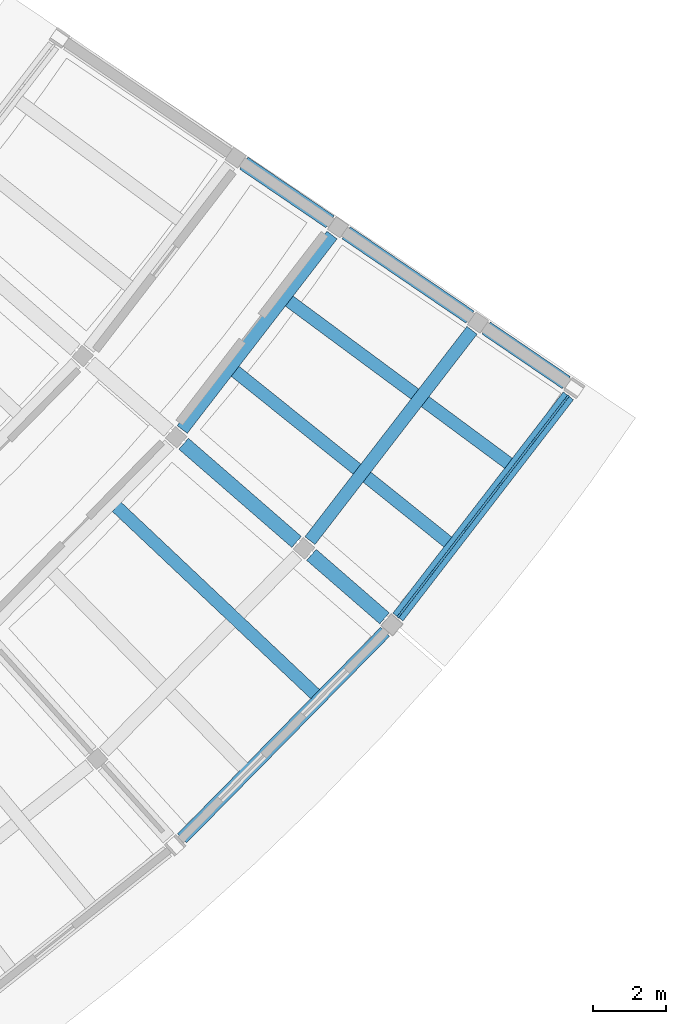
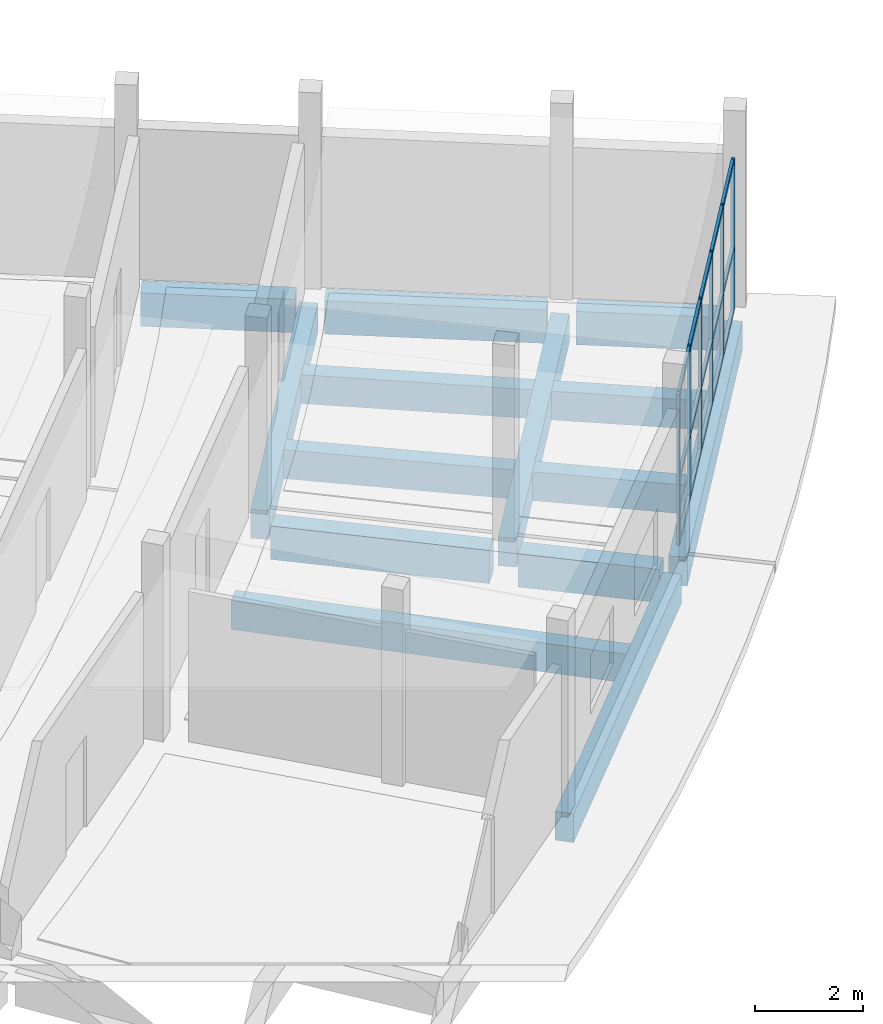
# One storey, part 44 of 92: 21 members, 12 beams, 1 element without a shape of its own.
"""IFC4 building model written with IfcOpenShell, lengths in metres."""

from ifc_helpers import new_model, si_unit, direction, frame, origin, origin_2d, place, context, subcontext, project, spatial, rectangle, extrude, material, layer, layer_set, material_profile, profile_set, type_object, element, aggregate, save


model = new_model("IFC4")

# Units and contexts
model_context = context("Model", 3, precision=1e-05, world=origin(), true_north=direction((0.0, 1.0)))
body_context = subcontext(model_context, "Body", "Model", "MODEL_VIEW")
ifc_project = project(units=[si_unit("LENGTHUNIT", "METRE"), si_unit("AREAUNIT", "SQUARE_METRE"), si_unit("VOLUMEUNIT", "CUBIC_METRE"), si_unit("PLANEANGLEUNIT", "RADIAN"), si_unit("MASSUNIT", "GRAM", prefix="KILO")], contexts=[model_context])

# Site, building, storey
site_placement = place(None, origin())
site = spatial("IfcSite", under=ifc_project, at=site_placement, CompositionType="ELEMENT")
building_placement = place(site_placement, origin())
building = spatial("IfcBuilding", under=site, at=building_placement, Name="Caldaven Crescent School", CompositionType="ELEMENT")
storey_placement = place(building_placement, origin())
storey = spatial("IfcBuildingStorey", under=building, at=storey_placement, Name="L00", CompositionType="ELEMENT", Elevation=0.0)

# Beams
ifc_material_1 = material(Name="Concrete C30/37", Category="concrete")
ifc_material_profile_1 = material_profile(ifc_material_1, rectangle(XDim=0.35009765625, YDim=0.64990234375, at=origin_2d()), Name="RC 350x650")
ifc_profile_set_1 = profile_set([ifc_material_profile_1], Name="Concrete C30/37")
beam_type_1 = type_object("IfcBeamType", Name="BM-RC35", PredefinedType="BEAM", material=ifc_profile_set_1)
beam_1_placement = place(storey_placement, frame((132.92919921875, 53.613525390625, -0.5849609375), z_axis=(0.727372490109, -0.686242858348, 0.0), x_axis=(0.686242858348, 0.727372490109, 0.0)))
element("IfcBeam", 1, at=beam_1_placement, inside=storey, type_object=beam_type_1, Name="JSR-V4E-L00-0921", PredefinedType="BEAM", context=body_context, shape_type="SweptSolid", body=[
    extrude(rectangle(XDim=0.35009765625, YDim=0.64990234375, at=origin_2d()), origin(), (0.0, 0.0, 1.0), 7.4970703125),
])
beam_2_placement = place(storey_placement, frame((134.73046875, 55.735107421875, -0.5849609375), z_axis=(0.61039141792, 0.792099941251, 0.0), x_axis=(-0.792099941251, 0.61039141792, 0.0)))
element("IfcBeam", 2, at=beam_2_placement, inside=storey, type_object=beam_type_1, Name="BMT-V4E-L00-0924", PredefinedType="BEAM", context=body_context, shape_type="SweptSolid", body=[
    extrude(rectangle(XDim=0.35009765625, YDim=0.64990234375, at=origin_2d()), origin(), (0.0, 0.0, 1.0), 6.74072265625),
])
beam_3_placement = place(storey_placement, frame((138.23974609375, 52.684326171875, -0.5849609375), z_axis=(0.610382239091, 0.792107014362, 0.0), x_axis=(-0.792107014362, 0.610382239091, 0.0)))
element("IfcBeam", 3, at=beam_3_placement, inside=storey, type_object=beam_type_1, Name="BMT-V4E-L00-0925", PredefinedType="BEAM", context=body_context, shape_type="SweptSolid", body=[
    extrude(rectangle(XDim=0.35009765625, YDim=0.64990234375, at=origin_2d()), origin(), (0.0, 0.0, 1.0), 7.28955078125),
])
for number, where, z_axis, x_axis, name in (
    (4, (136.1796875, 57.337158203125, -0.5849609375), (0.779924415741, -0.625873713884, 0.0), (0.625873713884, 0.779924415741, 0.0), "JSR-V4E-L00-0928"),
    (5, (137.6650390625, 59.264892578125, -0.5849609375), (0.80397172981, -0.59466751859, 0.0), (0.59466751859, 0.80397172981, 0.0), "JSR-V4E-L00-0930"),
):
    element("IfcBeam", number, at=place(storey_placement, frame(where, z_axis=z_axis, x_axis=x_axis)), inside=storey, type_object=beam_type_1, Name=name, PredefinedType="BEAM", context=body_context, shape_type="SweptSolid", body=[
        extrude(rectangle(XDim=0.35009765625, YDim=0.64990234375, at=origin_2d()), origin(), (0.0, 0.0, 1.0), 7.497802734375),
    ])
ifc_material_2 = material(Name="Concrete C35/45", Category="concrete")
ifc_material_profile_2 = material_profile(ifc_material_2, rectangle(XDim=0.39990234375, YDim=0.75, at=origin_2d()), Name="RC 400x750")
ifc_profile_set_2 = profile_set([ifc_material_profile_2], Name="Concrete C35/45")
beam_type_2 = type_object("IfcBeamType", Name="BM-RC40", PredefinedType="BEAM", material=ifc_profile_set_2)
beam_4_placement = place(storey_placement, frame((134.769287109375, 55.343994140625, -0.635009765625), z_axis=(0.754718051094, -0.656049284241, 0.0), x_axis=(0.656049284241, 0.754718051094, 0.0)))
element("IfcBeam", 6, at=beam_4_placement, inside=storey, type_object=beam_type_2, Name="BMR-V4E-L00-0882", PredefinedType="BEAM", context=body_context, shape_type="SweptSolid", body=[
    extrude(rectangle(XDim=0.39990234375, YDim=0.75, at=origin_2d()), origin(), (0.0, 0.0, 1.0), 4.10986328125),
])
beam_5_placement = place(storey_placement, frame((138.27880859375, 52.29345703125, -0.635009765625), z_axis=(0.754716162518, -0.65605145685, 0.0), x_axis=(0.65605145685, 0.754716162518, 0.0)))
element("IfcBeam", 7, at=beam_5_placement, inside=storey, type_object=beam_type_2, Name="BMR-V4E-L00-0883", PredefinedType="BEAM", context=body_context, shape_type="SweptSolid", body=[
    extrude(rectangle(XDim=0.39990234375, YDim=0.75, at=origin_2d()), origin(), (0.0, 0.0, 1.0), 2.659912109375),
])
beam_6_placement = place(storey_placement, frame((136.422119140625, 63.04931640625, -0.635009765625), z_axis=(0.826759751859, -0.562555164145, 0.0), x_axis=(0.562555164145, 0.826759751859, 0.0)))
element("IfcBeam", 8, at=beam_6_placement, inside=storey, type_object=beam_type_2, Name="BMR-V4E-L00-0885", PredefinedType="BEAM", context=body_context, shape_type="SweptSolid", body=[
    extrude(rectangle(XDim=0.39990234375, YDim=0.75, at=origin_2d()), origin(), (0.0, 0.0, 1.0), 2.85986328125),
])
beam_7_placement = place(storey_placement, frame((139.23291015625, 61.136474609375, -0.635009765625), z_axis=(0.826739740535, -0.562584572683, 0.0), x_axis=(0.562584572683, 0.826739740535, 0.0)))
element("IfcBeam", 9, at=beam_7_placement, inside=storey, type_object=beam_type_2, Name="BMR-V4E-L00-0886", PredefinedType="BEAM", context=body_context, shape_type="SweptSolid", body=[
    extrude(rectangle(XDim=0.39990234375, YDim=0.75, at=origin_2d()), origin(), (0.0, 0.0, 1.0), 4.110107421875),
])
beam_8_placement = place(storey_placement, frame((143.077392578125, 58.5205078125, -0.635009765625), z_axis=(0.82674549188, -0.562576120765, 0.0), x_axis=(0.562576120765, 0.82674549188, 0.0)))
element("IfcBeam", 10, at=beam_8_placement, inside=storey, type_object=beam_type_2, Name="BMR-V4E-L00-0887", PredefinedType="BEAM", context=body_context, shape_type="SweptSolid", body=[
    extrude(rectangle(XDim=0.39990234375, YDim=0.75, at=origin_2d()), origin(), (0.0, 0.0, 1.0), 2.659912109375),
])

# Curtain wall, members
ifc_material_3 = material(Name="Anodised aluminium AA 6063-T6 and low-E double glazing", Category="aluminium")
ifc_layer = layer(ifc_material_3, 0.2099609375)
ifc_layer_set = layer_set([ifc_layer], Name="Anodised aluminium AA 6063-T6 and low-E double glazing")
curtain_wall_type = type_object("IfcCurtainWallType", Name="CW-SYS3", PredefinedType="NOTDEFINED", material=ifc_layer_set)
curtain_wall_placement = place(storey_placement, origin())
curtain_wall = element("IfcCurtainWall", 11, at=curtain_wall_placement, inside=storey, type_object=curtain_wall_type, Name="CW-L00-116", PredefinedType="NOTDEFINED")
ifc_material_4 = material(Name="Anodised aluminium AA 6063-T6", Category="aluminium")
ifc_material_profile_3 = material_profile(ifc_material_4, rectangle(XDim=0.06005859375, YDim=0.14990234375, at=origin_2d()), Name="CWM 60x150")
ifc_profile_set_3 = profile_set([ifc_material_profile_3], Name="Anodised aluminium AA 6063-T6")
member_type_1 = type_object("IfcMemberType", Name="CWM-T1", PredefinedType="MULLION", material=ifc_profile_set_3)
member_1_placement = place(storey_placement, frame((140.69140625, 50.632568359375, 0.0), z_axis=(0.0, 0.0, 1.0), x_axis=(-0.792104244757, 0.610385833254, 0.0)))
member_1 = element("IfcMember", 12, at=member_1_placement, type_object=member_type_1, Name="CW3 mullion 1", PredefinedType="MULLION", context=body_context, shape_type="SweptSolid", body=[
    extrude(rectangle(XDim=0.06005859375, YDim=0.14990234375, at=origin_2d()), origin(), (0.0, 0.0, 1.0), 3.39990234375),
])
member_2_placement = place(storey_placement, frame((141.601806640625, 51.81396484375, 0.0), z_axis=(0.0, 0.0, 1.0), x_axis=(-0.792104244757, 0.610385833254, 0.0)))
member_2 = element("IfcMember", 13, at=member_2_placement, type_object=member_type_1, Name="CW3 mullion 2", PredefinedType="MULLION", context=body_context, shape_type="SweptSolid", body=[
    extrude(rectangle(XDim=0.06005859375, YDim=0.14990234375, at=origin_2d()), origin(), (0.0, 0.0, 1.0), 3.39990234375),
])
member_3_placement = place(storey_placement, frame((142.530517578125, 53.01904296875, 0.0), z_axis=(0.0, 0.0, 1.0), x_axis=(-0.792104244757, 0.610385833254, 0.0)))
member_3 = element("IfcMember", 14, at=member_3_placement, type_object=member_type_1, Name="CW3 mullion 3", PredefinedType="MULLION", context=body_context, shape_type="SweptSolid", body=[
    extrude(rectangle(XDim=0.06005859375, YDim=0.14990234375, at=origin_2d()), origin(), (0.0, 0.0, 1.0), 3.39990234375),
])
member_4_placement = place(storey_placement, frame((143.459228515625, 54.22412109375, 0.0), z_axis=(0.0, 0.0, 1.0), x_axis=(-0.792104244757, 0.610385833254, 0.0)))
member_4 = element("IfcMember", 15, at=member_4_placement, type_object=member_type_1, Name="CW3 mullion 4", PredefinedType="MULLION", context=body_context, shape_type="SweptSolid", body=[
    extrude(rectangle(XDim=0.06005859375, YDim=0.14990234375, at=origin_2d()), origin(), (0.0, 0.0, 1.0), 3.39990234375),
])
member_5_placement = place(storey_placement, frame((144.387939453125, 55.429443359375, 0.0), z_axis=(0.0, 0.0, 1.0), x_axis=(-0.792104244757, 0.610385833254, 0.0)))
member_5 = element("IfcMember", 16, at=member_5_placement, type_object=member_type_1, Name="CW3 mullion 5", PredefinedType="MULLION", context=body_context, shape_type="SweptSolid", body=[
    extrude(rectangle(XDim=0.06005859375, YDim=0.14990234375, at=origin_2d()), origin(), (0.0, 0.0, 1.0), 3.39990234375),
])
member_6_placement = place(storey_placement, frame((145.29833984375, 56.61083984375, 0.0), z_axis=(0.0, 0.0, 1.0), x_axis=(-0.792104244757, 0.610385833254, 0.0)))
member_6 = element("IfcMember", 17, at=member_6_placement, type_object=member_type_1, Name="CW3 mullion 6", PredefinedType="MULLION", context=body_context, shape_type="SweptSolid", body=[
    extrude(rectangle(XDim=0.06005859375, YDim=0.14990234375, at=origin_2d()), origin(), (0.0, 0.0, 1.0), 3.39990234375),
])
ifc_material_profile_4 = material_profile(ifc_material_4, rectangle(XDim=0.06005859375, YDim=0.1201171875, at=origin_2d()), Name="CWT 60x120")
ifc_profile_set_4 = profile_set([ifc_material_profile_4], Name="Anodised aluminium AA 6063-T6")
member_type_2 = type_object("IfcMemberType", Name="CWT-T1", PredefinedType="USERDEFINED", material=ifc_profile_set_4)
member_7_placement = place(storey_placement, frame((140.709716796875, 50.65625, 0.030029296875), z_axis=(0.6104276164, 0.792072045421, 0.0), x_axis=(-0.792072045421, 0.6104276164, 0.0)))
member_7 = element("IfcMember", 18, at=member_7_placement, type_object=member_type_2, Name="CW3 transom 1.1", ObjectType="TRANSOM", PredefinedType="USERDEFINED", context=body_context, shape_type="SweptSolid", body=[
    extrude(rectangle(XDim=0.06005859375, YDim=0.1201171875, at=origin_2d()), origin(), (0.0, 0.0, 1.0), 1.431396484375),
])
member_8_placement = place(storey_placement, frame((140.709716796875, 50.65625, 1.427978515625), z_axis=(0.6104276164, 0.792072045421, 0.0), x_axis=(-0.792072045421, 0.6104276164, 0.0)))
member_8 = element("IfcMember", 19, at=member_8_placement, type_object=member_type_2, Name="CW3 transom 1.2", ObjectType="TRANSOM", PredefinedType="USERDEFINED", context=body_context, shape_type="SweptSolid", body=[
    extrude(rectangle(XDim=0.06005859375, YDim=0.1201171875, at=origin_2d()), origin(), (0.0, 0.0, 1.0), 1.431396484375),
])
member_9_placement = place(storey_placement, frame((140.709716796875, 50.65625, 3.3701171875), z_axis=(0.6104276164, 0.792072045421, 0.0), x_axis=(-0.792072045421, 0.6104276164, 0.0)))
member_9 = element("IfcMember", 20, at=member_9_placement, type_object=member_type_2, Name="CW3 transom 1.3", ObjectType="TRANSOM", PredefinedType="USERDEFINED", context=body_context, shape_type="SweptSolid", body=[
    extrude(rectangle(XDim=0.06005859375, YDim=0.1201171875, at=origin_2d()), origin(), (0.0, 0.0, 1.0), 1.431396484375),
])
member_10_placement = place(storey_placement, frame((141.6201171875, 51.837646484375, 0.030029296875), z_axis=(0.610372507609, 0.792114513158, 0.0), x_axis=(-0.792114513158, 0.610372507609, 0.0)))
member_10 = element("IfcMember", 21, at=member_10_placement, type_object=member_type_2, Name="CW3 transom 2.1", ObjectType="TRANSOM", PredefinedType="USERDEFINED", context=body_context, shape_type="SweptSolid", body=[
    extrude(rectangle(XDim=0.06005859375, YDim=0.1201171875, at=origin_2d()), origin(), (0.0, 0.0, 1.0), 1.461669921875),
])
member_11_placement = place(storey_placement, frame((141.6201171875, 51.837646484375, 1.427978515625), z_axis=(0.610372507609, 0.792114513158, 0.0), x_axis=(-0.792114513158, 0.610372507609, 0.0)))
member_11 = element("IfcMember", 22, at=member_11_placement, type_object=member_type_2, Name="CW3 transom 2.2", ObjectType="TRANSOM", PredefinedType="USERDEFINED", context=body_context, shape_type="SweptSolid", body=[
    extrude(rectangle(XDim=0.06005859375, YDim=0.1201171875, at=origin_2d()), origin(), (0.0, 0.0, 1.0), 1.461669921875),
])
member_12_placement = place(storey_placement, frame((141.6201171875, 51.837646484375, 3.3701171875), z_axis=(0.610372507609, 0.792114513158, 0.0), x_axis=(-0.792114513158, 0.610372507609, 0.0)))
member_12 = element("IfcMember", 23, at=member_12_placement, type_object=member_type_2, Name="CW3 transom 2.3", ObjectType="TRANSOM", PredefinedType="USERDEFINED", context=body_context, shape_type="SweptSolid", body=[
    extrude(rectangle(XDim=0.06005859375, YDim=0.1201171875, at=origin_2d()), origin(), (0.0, 0.0, 1.0), 1.461669921875),
])
member_13_placement = place(storey_placement, frame((142.548828125, 53.042724609375, 0.030029296875), z_axis=(0.610372507609, 0.792114513158, 0.0), x_axis=(-0.792114513158, 0.610372507609, 0.0)))
member_13 = element("IfcMember", 24, at=member_13_placement, type_object=member_type_2, Name="CW3 transom 3.1", ObjectType="TRANSOM", PredefinedType="USERDEFINED", context=body_context, shape_type="SweptSolid", body=[
    extrude(rectangle(XDim=0.06005859375, YDim=0.1201171875, at=origin_2d()), origin(), (0.0, 0.0, 1.0), 1.461669921875),
])
member_14_placement = place(storey_placement, frame((142.548828125, 53.042724609375, 1.427978515625), z_axis=(0.610372507609, 0.792114513158, 0.0), x_axis=(-0.792114513158, 0.610372507609, 0.0)))
member_14 = element("IfcMember", 25, at=member_14_placement, type_object=member_type_2, Name="CW3 transom 3.2", ObjectType="TRANSOM", PredefinedType="USERDEFINED", context=body_context, shape_type="SweptSolid", body=[
    extrude(rectangle(XDim=0.06005859375, YDim=0.1201171875, at=origin_2d()), origin(), (0.0, 0.0, 1.0), 1.461669921875),
])
member_15_placement = place(storey_placement, frame((142.548828125, 53.042724609375, 3.3701171875), z_axis=(0.610372507609, 0.792114513158, 0.0), x_axis=(-0.792114513158, 0.610372507609, 0.0)))
member_15 = element("IfcMember", 26, at=member_15_placement, type_object=member_type_2, Name="CW3 transom 3.3", ObjectType="TRANSOM", PredefinedType="USERDEFINED", context=body_context, shape_type="SweptSolid", body=[
    extrude(rectangle(XDim=0.06005859375, YDim=0.1201171875, at=origin_2d()), origin(), (0.0, 0.0, 1.0), 1.461669921875),
])
member_16_placement = place(storey_placement, frame((143.4775390625, 54.248046875, 0.030029296875), z_axis=(0.610453277548, 0.792052268434, 0.0), x_axis=(-0.792052268434, 0.610453277548, 0.0)))
member_16 = element("IfcMember", 27, at=member_16_placement, type_object=member_type_2, Name="CW3 transom 4.1", ObjectType="TRANSOM", PredefinedType="USERDEFINED", context=body_context, shape_type="SweptSolid", body=[
    extrude(rectangle(XDim=0.06005859375, YDim=0.1201171875, at=origin_2d()), origin(), (0.0, 0.0, 1.0), 1.46142578125),
])
member_17_placement = place(storey_placement, frame((143.4775390625, 54.248046875, 1.427978515625), z_axis=(0.610453277548, 0.792052268434, 0.0), x_axis=(-0.792052268434, 0.610453277548, 0.0)))
member_17 = element("IfcMember", 28, at=member_17_placement, type_object=member_type_2, Name="CW3 transom 4.2", ObjectType="TRANSOM", PredefinedType="USERDEFINED", context=body_context, shape_type="SweptSolid", body=[
    extrude(rectangle(XDim=0.06005859375, YDim=0.1201171875, at=origin_2d()), origin(), (0.0, 0.0, 1.0), 1.46142578125),
])
member_18_placement = place(storey_placement, frame((143.4775390625, 54.248046875, 3.3701171875), z_axis=(0.610453277548, 0.792052268434, 0.0), x_axis=(-0.792052268434, 0.610453277548, 0.0)))
member_18 = element("IfcMember", 29, at=member_18_placement, type_object=member_type_2, Name="CW3 transom 4.3", ObjectType="TRANSOM", PredefinedType="USERDEFINED", context=body_context, shape_type="SweptSolid", body=[
    extrude(rectangle(XDim=0.06005859375, YDim=0.1201171875, at=origin_2d()), origin(), (0.0, 0.0, 1.0), 1.46142578125),
])
member_19_placement = place(storey_placement, frame((144.40625, 55.453125, 0.030029296875), z_axis=(0.6104276164, 0.792072045421, 0.0), x_axis=(-0.792072045421, 0.6104276164, 0.0)))
member_19 = element("IfcMember", 30, at=member_19_placement, type_object=member_type_2, Name="CW3 transom 5.1", ObjectType="TRANSOM", PredefinedType="USERDEFINED", context=body_context, shape_type="SweptSolid", body=[
    extrude(rectangle(XDim=0.06005859375, YDim=0.1201171875, at=origin_2d()), origin(), (0.0, 0.0, 1.0), 1.431396484375),
])
member_20_placement = place(storey_placement, frame((144.40625, 55.453125, 1.427978515625), z_axis=(0.6104276164, 0.792072045421, 0.0), x_axis=(-0.792072045421, 0.6104276164, 0.0)))
member_20 = element("IfcMember", 31, at=member_20_placement, type_object=member_type_2, Name="CW3 transom 5.2", ObjectType="TRANSOM", PredefinedType="USERDEFINED", context=body_context, shape_type="SweptSolid", body=[
    extrude(rectangle(XDim=0.06005859375, YDim=0.1201171875, at=origin_2d()), origin(), (0.0, 0.0, 1.0), 1.431396484375),
])
member_21_placement = place(storey_placement, frame((144.40625, 55.453125, 3.3701171875), z_axis=(0.6104276164, 0.792072045421, 0.0), x_axis=(-0.792072045421, 0.6104276164, 0.0)))
member_21 = element("IfcMember", 32, at=member_21_placement, type_object=member_type_2, Name="CW3 transom 5.3", ObjectType="TRANSOM", PredefinedType="USERDEFINED", context=body_context, shape_type="SweptSolid", body=[
    extrude(rectangle(XDim=0.06005859375, YDim=0.1201171875, at=origin_2d()), origin(), (0.0, 0.0, 1.0), 1.431396484375),
])
aggregate(curtain_wall, [member_1, member_2, member_3, member_4, member_5, member_6, member_7, member_8, member_9, member_10, member_11, member_12, member_13, member_14, member_15, member_16, member_17, member_18, member_19, member_20, member_21])

# Beams
ifc_material_profile_5 = material_profile(ifc_material_1, rectangle(XDim=0.35009765625, YDim=0.64990234375, at=origin_2d()), Name="RC 350x650")
ifc_profile_set_5 = profile_set([ifc_material_profile_5], Name="Concrete C30/37")
beam_type_3 = type_object("IfcBeamType", Name="SP-RC35", PredefinedType="SPANDREL", material=ifc_profile_set_5)
beam_9_placement = place(storey_placement, frame((134.727294921875, 44.5068359375, -0.5849609375), z_axis=(0.700908637666, 0.713251064945, 0.0), x_axis=(-0.713251064945, 0.700908637666, 0.0)))
element("IfcBeam", 33, at=beam_9_placement, inside=storey, type_object=beam_type_3, Name="BMT-V4E-L00-0917", PredefinedType="SPANDREL", context=body_context, shape_type="SweptSolid", body=[
    extrude(rectangle(XDim=0.35009765625, YDim=0.64990234375, at=origin_2d()), origin(), (0.0, 0.0, 1.0), 7.951904296875),
])
beam_10_placement = place(storey_placement, frame((140.65478515625, 50.5849609375, -0.5849609375), z_axis=(0.610402993651, 0.792091020869, 0.0), x_axis=(-0.792091020869, 0.610402993651, 0.0)))
element("IfcBeam", 34, at=beam_10_placement, inside=storey, type_object=beam_type_3, Name="BMT-V4E-L00-0926", PredefinedType="SPANDREL", context=body_context, shape_type="SweptSolid", body=[
    extrude(rectangle(XDim=0.35009765625, YDim=0.64990234375, at=origin_2d()), origin(), (0.0, 0.0, 1.0), 7.667236328125),
])

save(model, "model.ifc")
